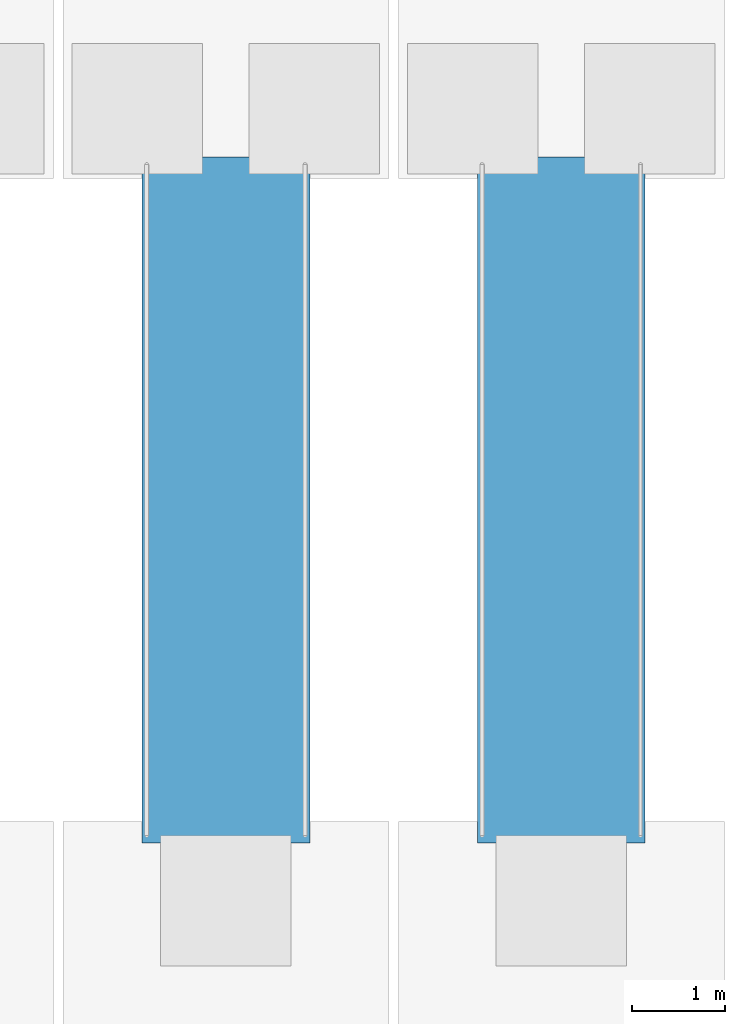
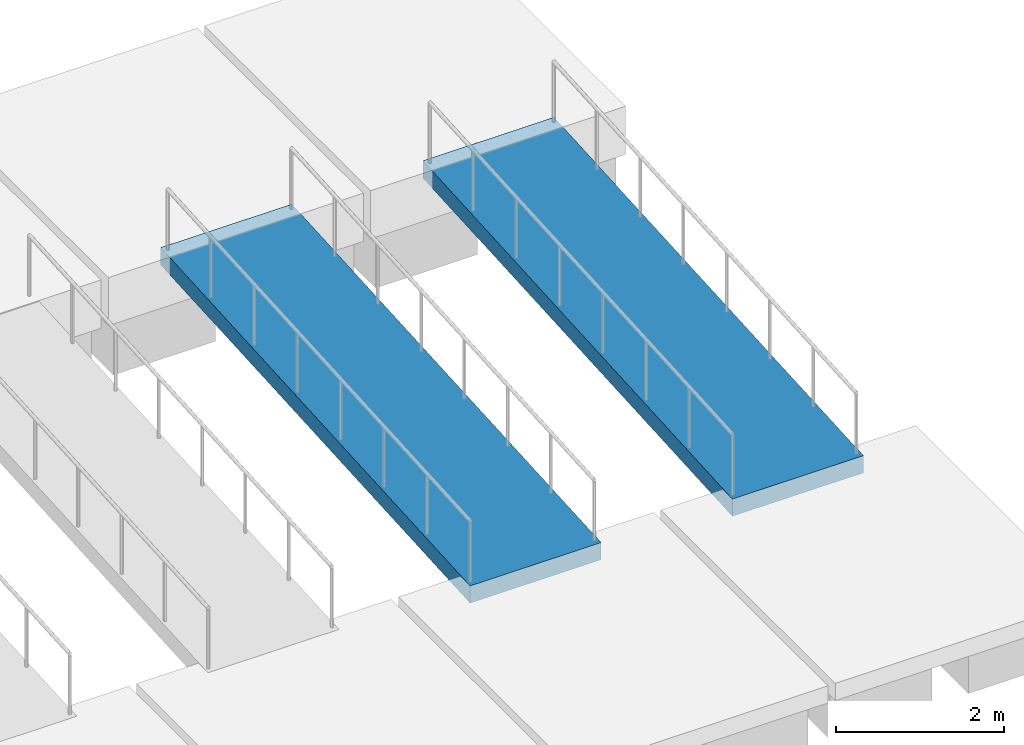
# One storey, part 21 of 26: 2 ramp flights, 2 elements without a shape of their own.
"""IFC4 building model written with IfcOpenShell, lengths in metres."""

from ifc_helpers import new_model, si_unit, direction, frame, origin, place, context, subcontext, project, spatial, polyline, outline, extrude, material, layer, layer_set, type_object, element, aggregate, save


model = new_model("IFC4")

# Units and contexts
model_context = context("Model", 3, precision=1e-05, world=origin(), true_north=direction((0.0, 1.0)))
body_context = subcontext(model_context, "Body", "Model", "MODEL_VIEW")
ifc_project = project(units=[si_unit("LENGTHUNIT", "METRE"), si_unit("AREAUNIT", "SQUARE_METRE"), si_unit("VOLUMEUNIT", "CUBIC_METRE"), si_unit("PLANEANGLEUNIT", "RADIAN"), si_unit("MASSUNIT", "GRAM", prefix="KILO")], contexts=[model_context])

# Site, building, storey
site_placement = place(None, origin())
site = spatial("IfcSite", under=ifc_project, at=site_placement, CompositionType="ELEMENT")
building_placement = place(site_placement, origin())
building = spatial("IfcBuilding", under=site, at=building_placement, Name="Catumbela Crestline Tower", CompositionType="ELEMENT")
storey_placement = place(building_placement, origin())
storey = spatial("IfcBuildingStorey", under=building, at=storey_placement, Name="L00", CompositionType="ELEMENT", Elevation=0.0)

# Ramp, ramp flight
ifc_material = material(Name="Concrete C40/50", Category="concrete")
ramp_type = type_object("IfcRampType", Name="RP-300E", PredefinedType="STRAIGHT_RUN_RAMP", material=ifc_material)
ramp_1_placement = place(storey_placement, origin())
ramp_1 = element("IfcRamp", 1, at=ramp_1_placement, inside=storey, type_object=ramp_type, Name="L00 Accessible 1:16 Waterfront Plaza Ramp 03", PredefinedType="STRAIGHT_RUN_RAMP")
ifc_layer = layer(ifc_material, 0.25, Name="Concrete C40/50")
ifc_layer_set = layer_set([ifc_layer], Name="Concrete C40/50")
ramp_flight_type = type_object("IfcRampFlightType", Name="RF-PEDE", PredefinedType="STRAIGHT", material=ifc_layer_set)
ramp_flight_1_placement = place(storey_placement, frame((77.0, 3.92, -0.45), z_axis=(0.0, 0.0, 1.0), x_axis=(0.0, 1.0, 0.0)))
ramp_flight_1 = element("IfcRampFlight", 2, at=ramp_flight_1_placement, type_object=ramp_flight_type, Name="L00 Accessible Plaza Ramp Flight 03", PredefinedType="STRAIGHT", context=body_context, shape_type="SweptSolid", body=[
    extrude(outline(polyline([(0.0, 0.0), (0.0, -0.25), (7.36, 0.2), (7.36, 0.45), (0.0, 0.0)])), frame((0.0, 0.9, 0.0), z_axis=(0.0, -1.0, 0.0), x_axis=(1.0, 0.0, 0.0)), (0.0, 0.0, 1.0), 1.8),
])
aggregate(ramp_1, [ramp_flight_1])

ramp_2_placement = place(storey_placement, origin())
ramp_2 = element("IfcRamp", 3, at=ramp_2_placement, inside=storey, type_object=ramp_type, Name="L00 Accessible 1:16 Waterfront Plaza Ramp 04", PredefinedType="STRAIGHT_RUN_RAMP")
ramp_flight_2_placement = place(storey_placement, frame((80.6, 3.92, -0.45), z_axis=(0.0, 0.0, 1.0), x_axis=(0.0, 1.0, 0.0)))
ramp_flight_2 = element("IfcRampFlight", 4, at=ramp_flight_2_placement, type_object=ramp_flight_type, Name="L00 Accessible Plaza Ramp Flight 04", PredefinedType="STRAIGHT", context=body_context, shape_type="SweptSolid", body=[
    extrude(outline(polyline([(0.0, 0.0), (0.0, -0.25), (7.36, 0.2), (7.36, 0.45), (0.0, 0.0)])), frame((0.0, 0.9, 0.0), z_axis=(0.0, -1.0, 0.0), x_axis=(1.0, 0.0, 0.0)), (0.0, 0.0, 1.0), 1.8),
])
aggregate(ramp_2, [ramp_flight_2])

save(model, "model.ifc")
